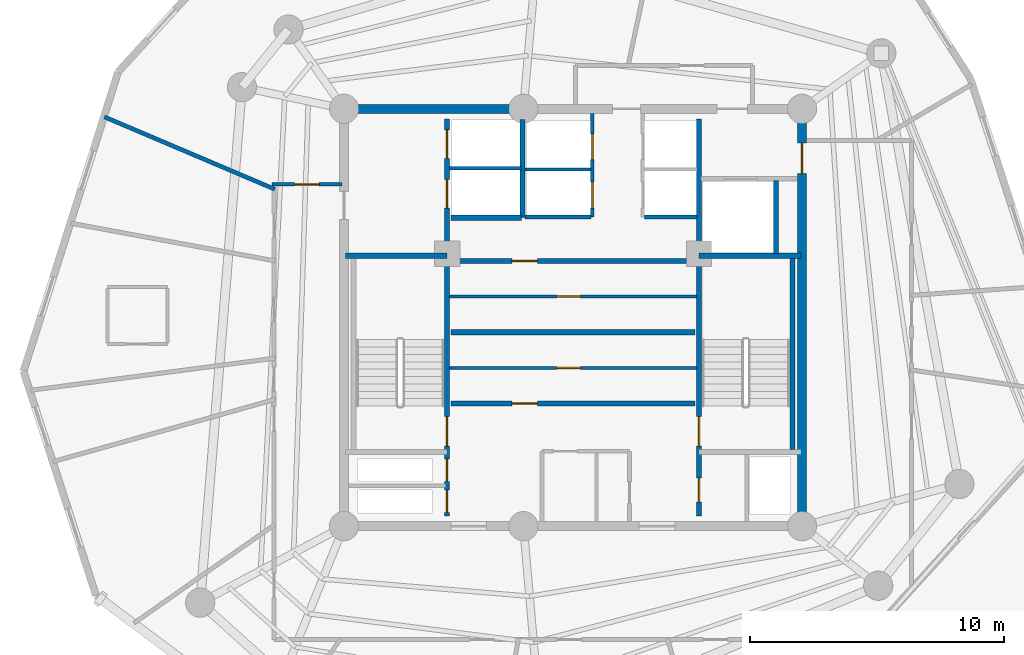
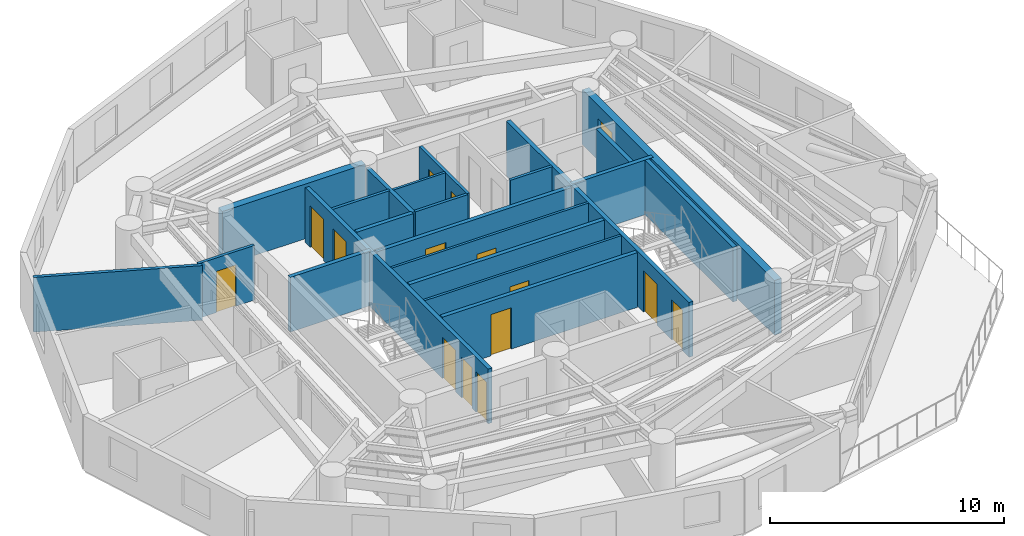
# One storey, part 4 of 9: 22 walls, 15 doors, 15 openings.
"""IFC4 building model written with IfcOpenShell, lengths in metres."""

from ifc_helpers import new_model, si_unit, direction, frame, frame_2d, origin, origin_with_axes, place, context, subcontext, project, spatial, rectangle, extrude, source, transform, mapped, material, layer, layer_set, type_object, element, fill, save


model = new_model("IFC4")

# Units and contexts
model_context = context("Model", 3, precision=1e-05, world=origin(), true_north=direction((0.0, 1.0)))
body_context = subcontext(model_context, "Body", "Model", "MODEL_VIEW")
ifc_project = project(units=[si_unit("LENGTHUNIT", "METRE"), si_unit("AREAUNIT", "SQUARE_METRE"), si_unit("VOLUMEUNIT", "CUBIC_METRE"), si_unit("PLANEANGLEUNIT", "RADIAN"), si_unit("MASSUNIT", "GRAM", prefix="KILO")], contexts=[model_context])

# Site, building, storey
site_placement = place(None, origin())
site = spatial("IfcSite", under=ifc_project, at=site_placement, CompositionType="ELEMENT")
building_placement = place(site_placement, origin())
building = spatial("IfcBuilding", under=site, at=building_placement, Name="Karkom Vertical University and Central Library", CompositionType="ELEMENT")
storey_placement = place(building_placement, frame((0.0, 0.0, 232.14990234375)))
storey = spatial("IfcBuildingStorey", under=building, at=storey_placement, Name="L68", CompositionType="ELEMENT", Elevation=232.14990234375)

# Wall
ifc_material_1 = material(Name="Insulated metal-stud drywall 160mm", Category="gypsum")
ifc_layer_1 = layer(ifc_material_1, 0.159912109375)
ifc_layer_set_1 = layer_set([ifc_layer_1], Name="Insulated metal-stud drywall 160mm")
wall_type_1 = type_object("IfcWallType", Name="INT-WL-COR-160", PredefinedType="PARTITIONING", material=ifc_layer_set_1)
wall_1_placement = place(storey_placement, frame((16.777587890625, 31.541015625, 0.0), z_axis=(0.0, 0.0, 1.0), x_axis=(-0.920503444572, 0.390734447588, 0.0)))
element("IfcWall", 1, at=wall_1_placement, inside=storey, type_object=wall_type_1, Name="Level 68 Interior Partition Wall L68-PW-012", PredefinedType="PARTITIONING", context=body_context, shape_type="SweptSolid", body=[
    extrude(rectangle(XDim=7.26806640625, YDim=0.159912109375, at=frame_2d((3.634033203125, 0.0))), origin(), (0.0, 0.0, 1.0), 2.85009765625),
])

# Wall, opening, door
ifc_material_2 = material(Name="Moisture-resistant drywall 120mm", Category="gypsum")
ifc_layer_2 = layer(ifc_material_2, 0.1201171875)
ifc_layer_set_2 = layer_set([ifc_layer_2], Name="Moisture-resistant drywall 120mm")
wall_type_2 = type_object("IfcWallType", Name="INT-WL-INT-120F", PredefinedType="PARTITIONING", material=ifc_layer_set_2)
wall_2_placement = place(storey_placement, frame((23.652099609375, 24.52001953125, 0.0), z_axis=(0.0, 0.0, 1.0), x_axis=(1.0, 0.0, 0.0)))
wall_2 = element("IfcWall", 2, at=wall_2_placement, inside=storey, type_object=wall_type_2, Name="Level 68 Interior Partition Wall L68-CW-B1-K3H", PredefinedType="PARTITIONING", context=body_context, shape_type="SweptSolid", body=[
    extrude(rectangle(XDim=9.697509765625, YDim=0.1201171875, at=frame_2d((4.8486328125, 0.0))), origin(), (0.0, 0.0, 1.0), 2.85009765625),
])
opening_1_placement = place(wall_2_placement, frame((4.199951171875, 0.0, 0.0)))
opening_1 = element("IfcOpeningElement", 3, at=opening_1_placement, cuts=wall_2, Name="Opening D-WC1", PredefinedType="OPENING", context=body_context, shape_type="SweptSolid", body=[
    extrude(rectangle(XDim=0.93994140625, YDim=2.10009765625, at=frame_2d((0.469970703125, 1.050048828125))), frame((0.0, 0.070068359375, 0.0), z_axis=(0.0, -1.0, 0.0), x_axis=(1.0, 0.0, 0.0)), (0.0, 0.0, 1.0), 0.14013671875),
])
ifc_material_3 = material(Name="Fire-rated laminate moisture-resistant door", Category="wood")
door_type_1 = type_object("IfcDoorType", Name="INT-DR-WC1", OperationType="NOTDEFINED", PredefinedType="DOOR", material=ifc_material_3)
shared_shape_1 = source(origin_with_axes(), body_context, "Body", "SweptSolid", [
    extrude(rectangle(XDim=0.93994140625, YDim=2.10009765625, at=frame_2d((0.469970703125, 1.050048828125))), frame((0.0, 0.02490234375, 0.0), z_axis=(0.0, -1.0, 0.0), x_axis=(1.0, 0.0, 0.0)), (0.0, 0.0, 1.0), 0.050048828125),
])
door_1_placement = place(opening_1_placement, origin())
door_1 = element("IfcDoor", 4, at=door_1_placement, inside=storey, type_object=door_type_1, Name="Level 68 B1 Core WC Strip Door", OperationType="SINGLE_SWING_RIGHT", OverallHeight=2.10009765625, OverallWidth=0.93994140625, PredefinedType="DOOR", context=body_context, shape_type="MappedRepresentation", body=[
    mapped(shared_shape_1, transform((0.0, 0.0, 0.0), scale=1.0)),
])
fill(opening_1, door_1)

wall_3_placement = place(storey_placement, frame((23.652099609375, 27.320068359375, 0.0), z_axis=(0.0, 0.0, 1.0), x_axis=(1.0, 0.0, 0.0)))
wall_3 = element("IfcWall", 5, at=wall_3_placement, inside=storey, type_object=wall_type_2, Name="Level 68 Interior Partition Wall L68-CW-B2-K3H", PredefinedType="PARTITIONING", context=body_context, shape_type="SweptSolid", body=[
    extrude(rectangle(XDim=9.697509765625, YDim=0.1201171875, at=frame_2d((4.8486328125, 0.0))), origin(), (0.0, 0.0, 1.0), 2.85009765625),
])
opening_2_placement = place(wall_3_placement, frame((4.199951171875, 0.0, 0.0)))
opening_2 = element("IfcOpeningElement", 6, at=opening_2_placement, cuts=wall_3, Name="Opening D-WC1", PredefinedType="OPENING", context=body_context, shape_type="SweptSolid", body=[
    extrude(rectangle(XDim=0.93994140625, YDim=2.10009765625, at=frame_2d((0.469970703125, 1.050048828125))), frame((0.0, 0.070068359375, 0.0), z_axis=(0.0, -1.0, 0.0), x_axis=(1.0, 0.0, 0.0)), (0.0, 0.0, 1.0), 0.14013671875),
])
door_2_placement = place(opening_2_placement, origin())
door_2 = element("IfcDoor", 7, at=door_2_placement, inside=storey, type_object=door_type_1, Name="Level 68 B2 Core WC Strip Door", OperationType="SINGLE_SWING_RIGHT", OverallHeight=2.10009765625, OverallWidth=0.93994140625, PredefinedType="DOOR", context=body_context, shape_type="MappedRepresentation", body=[
    mapped(shared_shape_1, transform((0.0, 0.0, 0.0), scale=1.0)),
])
fill(opening_2, door_2)

# Wall
ifc_layer_3 = layer(ifc_material_2, 0.1201171875)
ifc_layer_set_3 = layer_set([ifc_layer_3], Name="Moisture-resistant drywall 120mm")
wall_type_3 = type_object("IfcWallType", Name="INT-WL-INT-120H", PredefinedType="PARTITIONING", material=ifc_layer_set_3)
wall_4_placement = place(storey_placement, frame((26.6201171875, 32.320068359375, 0.0), z_axis=(0.0, 0.0, 1.0), x_axis=(1.0, 0.0, 0.0)))
element("IfcWall", 8, at=wall_4_placement, inside=storey, type_object=wall_type_3, Name="Level 68 Interior Partition Wall L68-CW-PH-MW", PredefinedType="PARTITIONING", context=body_context, shape_type="SweptSolid", body=[
    extrude(rectangle(XDim=2.579833984375, YDim=0.1201171875, at=frame_2d((1.2900390625, 0.0))), origin(), (0.0, 0.0, 1.0), 2.85009765625),
])

# Wall, opening, door
ifc_material_4 = material(Name="Metal-stud gypsum partition 140mm", Category="gypsum")
ifc_layer_4 = layer(ifc_material_4, 0.139892578125)
ifc_layer_set_4 = layer_set([ifc_layer_4], Name="Metal-stud gypsum partition 140mm")
wall_type_4 = type_object("IfcWallType", Name="INT-WL-SUB-140", PredefinedType="PARTITIONING", material=ifc_layer_set_4)
wall_5_placement = place(storey_placement, frame((19.419921875, 31.72998046875, 0.0), z_axis=(0.0, 0.0, 1.0), x_axis=(-1.0, 0.0, 0.0)))
wall_5 = element("IfcWall", 9, at=wall_5_placement, inside=storey, type_object=wall_type_4, Name="Level 68 Interior Partition Wall L68-CWALL-420", PredefinedType="PARTITIONING", context=body_context, shape_type="SweptSolid", body=[
    extrude(rectangle(XDim=2.75, YDim=0.139892578125, at=frame_2d((1.375, 0.0))), origin(), (0.0, 0.0, 1.0), 2.85009765625),
])
opening_3_placement = place(wall_5_placement, frame((0.89990234375, 0.0, 0.0)))
opening_3 = element("IfcOpeningElement", 10, at=opening_3_placement, cuts=wall_5, Name="Opening FD-RM2", PredefinedType="OPENING", context=body_context, shape_type="SweptSolid", body=[
    extrude(rectangle(XDim=0.9599609375, YDim=2.14990234375, at=frame_2d((0.47998046875, 1.074951171875))), frame((0.0, 0.080078125, 0.0), z_axis=(0.0, -1.0, 0.0), x_axis=(1.0, 0.0, 0.0)), (0.0, 0.0, 1.0), 0.159912109375),
])
ifc_material_5 = material(Name="Fire-rated oak veneer door", Category="wood")
door_type_2 = type_object("IfcDoorType", Name="INT-DR-FRM2", OperationType="NOTDEFINED", PredefinedType="DOOR", material=ifc_material_5)
shared_shape_2 = source(origin_with_axes(), body_context, "Body", "SweptSolid", [
    extrude(rectangle(XDim=0.9599609375, YDim=2.14990234375, at=frame_2d((0.47998046875, 1.074951171875))), frame((0.0, 0.02490234375, 0.0), z_axis=(0.0, -1.0, 0.0), x_axis=(1.0, 0.0, 0.0)), (0.0, 0.0, 1.0), 0.050048828125),
])
door_3_placement = place(opening_3_placement, origin())
door_3 = element("IfcDoor", 11, at=door_3_placement, inside=storey, type_object=door_type_2, Name="Level 68 Room Entry Door 420", OperationType="SINGLE_SWING_LEFT", OverallHeight=2.14990234375, OverallWidth=0.9599609375, PredefinedType="DOOR", context=body_context, shape_type="MappedRepresentation", body=[
    mapped(shared_shape_2, transform((0.0, 0.0, 0.0), scale=1.0)),
])
fill(opening_3, door_3)

# Wall, openings, doors
ifc_layer_5 = layer(ifc_material_4, 0.139892578125)
ifc_layer_set_5 = layer_set([ifc_layer_5], Name="Metal-stud gypsum partition 140mm")
wall_type_5 = type_object("IfcWallType", Name="INT-WL-SUB-140H", PredefinedType="PARTITIONING", material=ifc_layer_set_5)
wall_6_placement = place(storey_placement, frame((29.260009765625, 30.449951171875, 0.0), z_axis=(0.0, 0.0, 1.0), x_axis=(0.0, 1.0, 0.0)))
wall_6 = element("IfcWall", 12, at=wall_6_placement, inside=storey, type_object=wall_type_5, Name="Level 68 Interior Partition Wall L68-CW-PH-W", PredefinedType="PARTITIONING", context=body_context, shape_type="SweptSolid", body=[
    extrude(rectangle(XDim=4.068115234375, YDim=0.139892578125, at=frame_2d((2.0341796875, 0.0))), origin(), (0.0, 0.0, 1.0), 2.85009765625),
])
opening_4_placement = place(wall_6_placement, frame((0.35009765625, 0.0, 0.0)))
opening_4 = element("IfcOpeningElement", 13, at=opening_4_placement, cuts=wall_6, Name="Opening LD-PH", PredefinedType="OPENING", context=body_context, shape_type="SweptSolid", body=[
    extrude(rectangle(XDim=1.02001953125, YDim=2.14990234375, at=frame_2d((0.510009765625, 1.074951171875))), frame((0.0, 0.080078125, 0.0), z_axis=(0.0, -1.0, 0.0), x_axis=(1.0, 0.0, 0.0)), (0.0, 0.0, 1.0), 0.159912109375),
])
opening_5_placement = place(wall_6_placement, frame((2.25, 0.0, 0.0)))
opening_5 = element("IfcOpeningElement", 14, at=opening_5_placement, cuts=wall_6, Name="Opening LD-PH", PredefinedType="OPENING", context=body_context, shape_type="SweptSolid", body=[
    extrude(rectangle(XDim=1.02001953125, YDim=2.14990234375, at=frame_2d((0.510009765625, 1.074951171875))), frame((0.0, 0.080078125, 0.0), z_axis=(0.0, -1.0, 0.0), x_axis=(1.0, 0.0, 0.0)), (0.0, 0.0, 1.0), 0.159912109375),
])
ifc_material_6 = material(Name="Brushed stainless-steel landing door", Category="steel")
door_type_3 = type_object("IfcDoorType", Name="INT-DR-LD-PH", OperationType="SLIDING_TO_LEFT", PredefinedType="DOOR", material=ifc_material_6)
shared_shape_3 = source(origin_with_axes(), body_context, "Body", "SweptSolid", [
    extrude(rectangle(XDim=1.02001953125, YDim=2.14990234375, at=frame_2d((0.510009765625, 1.074951171875))), frame((0.0, 0.02490234375, 0.0), z_axis=(0.0, -1.0, 0.0), x_axis=(1.0, 0.0, 0.0)), (0.0, 0.0, 1.0), 0.050048828125),
])
door_4_placement = place(opening_4_placement, origin())
door_4 = element("IfcDoor", 15, at=door_4_placement, inside=storey, type_object=door_type_3, Name="Level 68 Lift PH-1 Landing Door", OperationType="SLIDING_TO_LEFT", OverallHeight=2.14990234375, OverallWidth=1.02001953125, PredefinedType="DOOR", context=body_context, shape_type="MappedRepresentation", body=[
    mapped(shared_shape_3, transform((0.0, 0.0, 0.0), scale=1.0)),
])
fill(opening_4, door_4)
door_5_placement = place(opening_5_placement, origin())
door_5 = element("IfcDoor", 16, at=door_5_placement, inside=storey, type_object=door_type_3, Name="Level 68 Lift PH-2 Landing Door", OperationType="SLIDING_TO_LEFT", OverallHeight=2.14990234375, OverallWidth=1.02001953125, PredefinedType="DOOR", context=body_context, shape_type="MappedRepresentation", body=[
    mapped(shared_shape_3, transform((0.0, 0.0, 0.0), scale=1.0)),
])
fill(opening_5, door_5)

# Walls
wall_7_placement = place(storey_placement, frame((26.6201171875, 30.449951171875, 0.0), z_axis=(0.0, 0.0, 1.0), x_axis=(1.0, 0.0, 0.0)))
element("IfcWall", 17, at=wall_7_placement, inside=storey, type_object=wall_type_5, Name="Level 68 Interior Partition Wall L68-CW-PH-S1", PredefinedType="PARTITIONING", context=body_context, shape_type="SweptSolid", body=[
    extrude(rectangle(XDim=2.579833984375, YDim=0.139892578125, at=frame_2d((1.2900390625, 0.0))), origin(), (0.0, 0.0, 1.0), 2.85009765625),
])
wall_8_placement = place(storey_placement, frame((31.300048828125, 30.449951171875, 0.0), z_axis=(0.0, 0.0, 1.0), x_axis=(1.0, 0.0, 0.0)))
element("IfcWall", 18, at=wall_8_placement, inside=storey, type_object=wall_type_5, Name="Level 68 Interior Partition Wall L68-CW-PH-S2", PredefinedType="PARTITIONING", context=body_context, shape_type="SweptSolid", body=[
    extrude(rectangle(XDim=2.074951171875, YDim=0.139892578125, at=frame_2d((1.03759765625, 0.0))), origin(), (0.0, 0.0, 1.0), 2.85009765625),
])
ifc_layer_6 = layer(ifc_material_4, 0.139892578125)
ifc_layer_set_6 = layer_set([ifc_layer_6], Name="Metal-stud gypsum partition 140mm")
wall_type_6 = type_object("IfcWallType", Name="INT-WL-SUB-140X", PredefinedType="PARTITIONING", material=ifc_layer_set_6)
wall_9_placement = place(storey_placement, frame((23.652099609375, 32.3701171875, 0.0), z_axis=(0.0, 0.0, 1.0), x_axis=(1.0, 0.0, 0.0)))
element("IfcWall", 19, at=wall_9_placement, inside=storey, type_object=wall_type_6, Name="Level 68 Interior Partition Wall L68-CW-FFL-M", PredefinedType="PARTITIONING", context=body_context, shape_type="SweptSolid", body=[
    extrude(rectangle(XDim=2.827880859375, YDim=0.139892578125, at=frame_2d((1.4140625, 0.0))), origin(), (0.0, 0.0, 1.0), 2.85009765625),
])

# Wall, opening, door
ifc_material_7 = material(Name="Concrete C45/55", Category="concrete")
ifc_layer_7 = layer(ifc_material_7, 0.35009765625)
ifc_layer_set_7 = layer_set([ifc_layer_7], Name="Concrete C45/55")
wall_type_7 = type_object("IfcWallType", Name="STR-WL-CW-350", PredefinedType="SHEAR", material=ifc_layer_set_7)
wall_10_placement = place(storey_placement, frame((37.5, 18.300048828125, 0.0), z_axis=(0.0, 0.0, 1.0), x_axis=(0.0, 1.0, 0.0)))
wall_10 = element("IfcWall", 20, at=wall_10_placement, inside=storey, type_object=wall_type_7, Name="Level 68 Central Core Shear Wall EW", PredefinedType="SHEAR", context=body_context, shape_type="SweptSolid", body=[
    extrude(rectangle(XDim=16.39990234375, YDim=0.35009765625, at=frame_2d((8.199951171875, 0.0))), origin(), (0.0, 0.0, 1.0), 2.85009765625),
])
opening_6_placement = place(wall_10_placement, frame((13.85009765625, 0.0, 0.0)))
opening_6 = element("IfcOpeningElement", 21, at=opening_6_placement, cuts=wall_10, Name="Opening FD-SUB1", PredefinedType="OPENING", context=body_context, shape_type="SweptSolid", body=[
    extrude(rectangle(XDim=1.199951171875, YDim=2.14990234375, at=frame_2d((0.60009765625, 1.074951171875))), frame((0.0, 0.18505859375, 0.0), z_axis=(0.0, -1.0, 0.0), x_axis=(1.0, 0.0, 0.0)), (0.0, 0.0, 1.0), 0.3701171875),
])
ifc_material_8 = material(Name="Painted steel fire door", Category="steel")
door_type_4 = type_object("IfcDoorType", Name="INT-DR-SUB1", OperationType="NOTDEFINED", PredefinedType="DOOR", material=ifc_material_8)
shared_shape_4 = source(origin_with_axes(), body_context, "Body", "SweptSolid", [
    extrude(rectangle(XDim=1.199951171875, YDim=2.14990234375, at=frame_2d((0.60009765625, 1.074951171875))), frame((0.0, 0.02490234375, 0.0), z_axis=(0.0, -1.0, 0.0), x_axis=(1.0, 0.0, 0.0)), (0.0, 0.0, 1.0), 0.050048828125),
])
door_6_placement = place(opening_6_placement, origin())
door_6 = element("IfcDoor", 22, at=door_6_placement, inside=storey, type_object=door_type_4, Name="Level 68 East Corridor Service Lobby Door", OperationType="SINGLE_SWING_RIGHT", OverallHeight=2.14990234375, OverallWidth=1.199951171875, PredefinedType="DOOR", context=body_context, shape_type="MappedRepresentation", body=[
    mapped(shared_shape_4, transform((0.0, 0.0, 0.0), scale=1.0)),
])
fill(opening_6, door_6)

# Wall
wall_11_placement = place(storey_placement, frame((26.550048828125, 34.699951171875, 0.0), z_axis=(0.0, 0.0, 1.0), x_axis=(-1.0, 0.0, 0.0)))
element("IfcWall", 23, at=wall_11_placement, inside=storey, type_object=wall_type_7, Name="Level 68 Central Core Shear Wall NW2", PredefinedType="SHEAR", context=body_context, shape_type="SweptSolid", body=[
    extrude(rectangle(XDim=7.050048828125, YDim=0.35009765625, at=frame_2d((3.52490234375, 0.0))), origin(), (0.0, 0.0, 1.0), 2.85009765625),
])

# Wall, openings, doors
ifc_layer_8 = layer(ifc_material_7, 0.199951171875)
ifc_layer_set_8 = layer_set([ifc_layer_8], Name="Concrete C45/55")
wall_type_8 = type_object("IfcWallType", Name="STR-WL-ST-200", PredefinedType="SHEAR", material=ifc_layer_set_8)
wall_12_placement = place(storey_placement, frame((23.544921875, 18.699951171875, 0.0), z_axis=(0.0, 0.0, 1.0), x_axis=(0.0, 1.0, 0.0)))
wall_12 = element("IfcWall", 24, at=wall_12_placement, inside=storey, type_object=wall_type_8, Name="Level 68 Core Shaft Wall L68-CW-ST1-E", PredefinedType="SHEAR", context=body_context, shape_type="SweptSolid", body=[
    extrude(rectangle(XDim=15.60009765625, YDim=0.199951171875, at=frame_2d((7.800048828125, 0.0))), origin(), (0.0, 0.0, 1.0), 2.85009765625),
])
opening_7_placement = place(wall_12_placement, frame((2.75, 0.0, 0.0)))
opening_7 = element("IfcOpeningElement", 25, at=opening_7_placement, cuts=wall_12, Name="Opening FD-ST1", PredefinedType="OPENING", context=body_context, shape_type="SweptSolid", body=[
    extrude(rectangle(XDim=1.14990234375, YDim=2.14990234375, at=frame_2d((0.574951171875, 1.074951171875))), frame((0.0, 0.10986328125, 0.0), z_axis=(0.0, -1.0, 0.0), x_axis=(1.0, 0.0, 0.0)), (0.0, 0.0, 1.0), 0.219970703125),
])
opening_8_placement = place(wall_12_placement, frame((0.139892578125, 0.0, 0.0)))
opening_8 = element("IfcOpeningElement", 26, at=opening_8_placement, cuts=wall_12, Name="Opening FD-RIS", PredefinedType="OPENING", context=body_context, shape_type="SweptSolid", body=[
    extrude(rectangle(XDim=0.8798828125, YDim=2.10009765625, at=frame_2d((0.43994140625, 1.050048828125))), frame((0.0, 0.10986328125, 0.0), z_axis=(0.0, -1.0, 0.0), x_axis=(1.0, 0.0, 0.0)), (0.0, 0.0, 1.0), 0.219970703125),
])
opening_9_placement = place(wall_12_placement, frame((1.360107421875, 0.0, 0.0)))
opening_9 = element("IfcOpeningElement", 27, at=opening_9_placement, cuts=wall_12, Name="Opening FD-RIS", PredefinedType="OPENING", context=body_context, shape_type="SweptSolid", body=[
    extrude(rectangle(XDim=0.8798828125, YDim=2.10009765625, at=frame_2d((0.43994140625, 1.050048828125))), frame((0.0, 0.10986328125, 0.0), z_axis=(0.0, -1.0, 0.0), x_axis=(1.0, 0.0, 0.0)), (0.0, 0.0, 1.0), 0.219970703125),
])
opening_10_placement = place(wall_12_placement, frame((12.10009765625, 0.0, 0.0)))
opening_10 = element("IfcOpeningElement", 28, at=opening_10_placement, cuts=wall_12, Name="Opening LD-FFL", PredefinedType="OPENING", context=body_context, shape_type="SweptSolid", body=[
    extrude(rectangle(XDim=1.1201171875, YDim=2.14990234375, at=frame_2d((0.56005859375, 1.074951171875))), frame((0.0, 0.10986328125, 0.0), z_axis=(0.0, -1.0, 0.0), x_axis=(1.0, 0.0, 0.0)), (0.0, 0.0, 1.0), 0.219970703125),
])
opening_11_placement = place(wall_12_placement, frame((14.050048828125, 0.0, 0.0)))
opening_11 = element("IfcOpeningElement", 29, at=opening_11_placement, cuts=wall_12, Name="Opening LD-FFL", PredefinedType="OPENING", context=body_context, shape_type="SweptSolid", body=[
    extrude(rectangle(XDim=1.1201171875, YDim=2.14990234375, at=frame_2d((0.56005859375, 1.074951171875))), frame((0.0, 0.10986328125, 0.0), z_axis=(0.0, -1.0, 0.0), x_axis=(1.0, 0.0, 0.0)), (0.0, 0.0, 1.0), 0.219970703125),
])
ifc_material_9 = material(Name="Painted steel acoustic fire door", Category="steel")
door_type_5 = type_object("IfcDoorType", Name="INT-DR-ST1", OperationType="NOTDEFINED", PredefinedType="DOOR", material=ifc_material_9)
shared_shape_5 = source(origin_with_axes(), body_context, "Body", "SweptSolid", [
    extrude(rectangle(XDim=1.14990234375, YDim=2.14990234375, at=frame_2d((0.574951171875, 1.074951171875))), frame((0.0, 0.02490234375, 0.0), z_axis=(0.0, -1.0, 0.0), x_axis=(1.0, 0.0, 0.0)), (0.0, 0.0, 1.0), 0.050048828125),
])
door_7_placement = place(opening_7_placement, origin())
door_7 = element("IfcDoor", 30, at=door_7_placement, inside=storey, type_object=door_type_5, Name="Level 68 Stair ST-1 Fire Door", OperationType="SINGLE_SWING_LEFT", OverallHeight=2.14990234375, OverallWidth=1.14990234375, PredefinedType="DOOR", context=body_context, shape_type="MappedRepresentation", body=[
    mapped(shared_shape_5, transform((0.0, 0.0, 0.0), scale=1.0)),
])
fill(opening_7, door_7)
ifc_material_10 = material(Name="Painted steel riser access door", Category="steel")
door_type_6 = type_object("IfcDoorType", Name="INT-DR-RIS", OperationType="NOTDEFINED", PredefinedType="DOOR", material=ifc_material_10)
shared_shape_6 = source(origin_with_axes(), body_context, "Body", "SweptSolid", [
    extrude(rectangle(XDim=0.8798828125, YDim=2.10009765625, at=frame_2d((0.43994140625, 1.050048828125))), frame((0.0, 0.02490234375, 0.0), z_axis=(0.0, -1.0, 0.0), x_axis=(1.0, 0.0, 0.0)), (0.0, 0.0, 1.0), 0.050048828125),
])
door_8_placement = place(opening_8_placement, origin())
door_8 = element("IfcDoor", 31, at=door_8_placement, inside=storey, type_object=door_type_6, Name="Level 68 Electrical Riser Access Door", OperationType="SINGLE_SWING_RIGHT", OverallHeight=2.10009765625, OverallWidth=0.8798828125, PredefinedType="DOOR", context=body_context, shape_type="MappedRepresentation", body=[
    mapped(shared_shape_6, transform((0.0, 0.0, 0.0), scale=1.0)),
])
fill(opening_8, door_8)
door_9_placement = place(opening_9_placement, origin())
door_9 = element("IfcDoor", 32, at=door_9_placement, inside=storey, type_object=door_type_6, Name="Level 68 Telecom Riser Access Door", OperationType="SINGLE_SWING_LEFT", OverallHeight=2.10009765625, OverallWidth=0.8798828125, PredefinedType="DOOR", context=body_context, shape_type="MappedRepresentation", body=[
    mapped(shared_shape_6, transform((0.0, 0.0, 0.0), scale=1.0)),
])
fill(opening_9, door_9)
ifc_material_11 = material(Name="Fire-rated stainless-steel landing door", Category="steel")
door_type_7 = type_object("IfcDoorType", Name="INT-DR-LD-FFL", OperationType="SLIDING_TO_LEFT", PredefinedType="DOOR", material=ifc_material_11)
shared_shape_7 = source(origin_with_axes(), body_context, "Body", "SweptSolid", [
    extrude(rectangle(XDim=1.1201171875, YDim=2.14990234375, at=frame_2d((0.56005859375, 1.074951171875))), frame((0.0, 0.02490234375, 0.0), z_axis=(0.0, -1.0, 0.0), x_axis=(1.0, 0.0, 0.0)), (0.0, 0.0, 1.0), 0.050048828125),
])
door_10_placement = place(opening_10_placement, origin())
door_10 = element("IfcDoor", 33, at=door_10_placement, inside=storey, type_object=door_type_7, Name="Level 68 Firefighting Lift FFL-1 Landing Door", OperationType="SLIDING_TO_LEFT", OverallHeight=2.14990234375, OverallWidth=1.1201171875, PredefinedType="DOOR", context=body_context, shape_type="MappedRepresentation", body=[
    mapped(shared_shape_7, transform((0.0, 0.0, 0.0), scale=1.0)),
])
fill(opening_10, door_10)
door_11_placement = place(opening_11_placement, origin())
door_11 = element("IfcDoor", 34, at=door_11_placement, inside=storey, type_object=door_type_7, Name="Level 68 Firefighting Lift FFL-2 Landing Door", OperationType="SLIDING_TO_RIGHT", OverallHeight=2.14990234375, OverallWidth=1.1201171875, PredefinedType="DOOR", context=body_context, shape_type="MappedRepresentation", body=[
    mapped(shared_shape_7, transform((0.0, 0.0, 0.0), scale=1.0)),
])
fill(opening_11, door_11)

wall_13_placement = place(storey_placement, frame((33.455078125, 18.699951171875, 0.0), z_axis=(0.0, 0.0, 1.0), x_axis=(0.0, 1.0, 0.0)))
wall_13 = element("IfcWall", 35, at=wall_13_placement, inside=storey, type_object=wall_type_8, Name="Level 68 Core Shaft Wall L68-CW-ST2-W", PredefinedType="SHEAR", context=body_context, shape_type="SweptSolid", body=[
    extrude(rectangle(XDim=15.60009765625, YDim=0.199951171875, at=frame_2d((7.800048828125, 0.0))), origin(), (0.0, 0.0, 1.0), 2.85009765625),
])
opening_12_placement = place(wall_13_placement, frame((2.75, 0.0, 0.0)))
opening_12 = element("IfcOpeningElement", 36, at=opening_12_placement, cuts=wall_13, Name="Opening FD-ST1", PredefinedType="OPENING", context=body_context, shape_type="SweptSolid", body=[
    extrude(rectangle(XDim=1.14990234375, YDim=2.14990234375, at=frame_2d((0.574951171875, 1.074951171875))), frame((0.0, 0.10986328125, 0.0), z_axis=(0.0, -1.0, 0.0), x_axis=(1.0, 0.0, 0.0)), (0.0, 0.0, 1.0), 0.219970703125),
])
opening_13_placement = place(wall_13_placement, frame((0.550048828125, 0.0, 0.0)))
opening_13 = element("IfcOpeningElement", 37, at=opening_13_placement, cuts=wall_13, Name="Opening D-WC1", PredefinedType="OPENING", context=body_context, shape_type="SweptSolid", body=[
    extrude(rectangle(XDim=0.93994140625, YDim=2.10009765625, at=frame_2d((0.469970703125, 1.050048828125))), frame((0.0, 0.10986328125, 0.0), z_axis=(0.0, -1.0, 0.0), x_axis=(1.0, 0.0, 0.0)), (0.0, 0.0, 1.0), 0.219970703125),
])
door_12_placement = place(opening_12_placement, origin())
door_12 = element("IfcDoor", 38, at=door_12_placement, inside=storey, type_object=door_type_5, Name="Level 68 Stair ST-2 Fire Door", OperationType="SINGLE_SWING_RIGHT", OverallHeight=2.14990234375, OverallWidth=1.14990234375, PredefinedType="DOOR", context=body_context, shape_type="MappedRepresentation", body=[
    mapped(shared_shape_5, transform((0.0, 0.0, 0.0), scale=1.0)),
])
fill(opening_12, door_12)
door_13_placement = place(opening_13_placement, origin())
door_13 = element("IfcDoor", 39, at=door_13_placement, inside=storey, type_object=door_type_1, Name="Level 68 Accessible WC Door", OperationType="SINGLE_SWING_RIGHT", OverallHeight=2.10009765625, OverallWidth=0.93994140625, PredefinedType="DOOR", context=body_context, shape_type="MappedRepresentation", body=[
    mapped(shared_shape_1, transform((0.0, 0.0, 0.0), scale=1.0)),
])
fill(opening_13, door_13)

# Wall, opening, door
wall_14_placement = place(storey_placement, frame((23.699951171875, 23.1201171875, 0.0), z_axis=(0.0, 0.0, 1.0), x_axis=(1.0, 0.0, 0.0)))
wall_14 = element("IfcWall", 40, at=wall_14_placement, inside=storey, type_object=wall_type_8, Name="Level 68 Core Shaft Wall L68-CW-B1-S", PredefinedType="SHEAR", context=body_context, shape_type="SweptSolid", body=[
    extrude(rectangle(XDim=9.60009765625, YDim=0.199951171875, at=frame_2d((4.800048828125, 0.0))), origin(), (0.0, 0.0, 1.0), 2.85009765625),
])
opening_14_placement = place(wall_14_placement, frame((2.39990234375, 0.0, 0.0)))
opening_14 = element("IfcOpeningElement", 41, at=opening_14_placement, cuts=wall_14, Name="Opening D-STR1", PredefinedType="OPENING", context=body_context, shape_type="SweptSolid", body=[
    extrude(rectangle(XDim=1.0, YDim=2.14990234375, at=frame_2d((0.5, 1.074951171875))), frame((0.0, 0.10986328125, 0.0), z_axis=(0.0, -1.0, 0.0), x_axis=(1.0, 0.0, 0.0)), (0.0, 0.0, 1.0), 0.219970703125),
])
ifc_material_12 = material(Name="Solid-core hardwood fire door", Category="wood")
door_type_8 = type_object("IfcDoorType", Name="INT-DR-STR1", OperationType="NOTDEFINED", PredefinedType="DOOR", material=ifc_material_12)
shared_shape_8 = source(origin_with_axes(), body_context, "Body", "SweptSolid", [
    extrude(rectangle(XDim=1.0, YDim=2.14990234375, at=frame_2d((0.5, 1.074951171875))), frame((0.0, 0.02490234375, 0.0), z_axis=(0.0, -1.0, 0.0), x_axis=(1.0, 0.0, 0.0)), (0.0, 0.0, 1.0), 0.050048828125),
])
door_14_placement = place(opening_14_placement, origin())
door_14 = element("IfcDoor", 42, at=door_14_placement, inside=storey, type_object=door_type_8, Name="Level 68 B1 Archive Strip Door", OperationType="SINGLE_SWING_LEFT", OverallHeight=2.14990234375, OverallWidth=1.0, PredefinedType="DOOR", context=body_context, shape_type="MappedRepresentation", body=[
    mapped(shared_shape_8, transform((0.0, 0.0, 0.0), scale=1.0)),
])
fill(opening_14, door_14)

# Wall
wall_15_placement = place(storey_placement, frame((23.699951171875, 25.919921875, 0.0), z_axis=(0.0, 0.0, 1.0), x_axis=(1.0, 0.0, 0.0)))
element("IfcWall", 43, at=wall_15_placement, inside=storey, type_object=wall_type_8, Name="Level 68 Core Shaft Wall L68-CW-B1-N", PredefinedType="SHEAR", context=body_context, shape_type="SweptSolid", body=[
    extrude(rectangle(XDim=9.60009765625, YDim=0.199951171875, at=frame_2d((4.800048828125, 0.0))), origin(), (0.0, 0.0, 1.0), 2.85009765625),
])

# Wall, opening, door
wall_16_placement = place(storey_placement, frame((23.699951171875, 28.719970703125, 0.0), z_axis=(0.0, 0.0, 1.0), x_axis=(1.0, 0.0, 0.0)))
wall_16 = element("IfcWall", 44, at=wall_16_placement, inside=storey, type_object=wall_type_8, Name="Level 68 Core Shaft Wall L68-CW-B2-N", PredefinedType="SHEAR", context=body_context, shape_type="SweptSolid", body=[
    extrude(rectangle(XDim=9.60009765625, YDim=0.199951171875, at=frame_2d((4.800048828125, 0.0))), origin(), (0.0, 0.0, 1.0), 2.85009765625),
])
opening_15_placement = place(wall_16_placement, frame((2.39990234375, 0.0, 0.0)))
opening_15 = element("IfcOpeningElement", 45, at=opening_15_placement, cuts=wall_16, Name="Opening D-STR1", PredefinedType="OPENING", context=body_context, shape_type="SweptSolid", body=[
    extrude(rectangle(XDim=1.0, YDim=2.14990234375, at=frame_2d((0.5, 1.074951171875))), frame((0.0, 0.10986328125, 0.0), z_axis=(0.0, -1.0, 0.0), x_axis=(1.0, 0.0, 0.0)), (0.0, 0.0, 1.0), 0.219970703125),
])
door_15_placement = place(opening_15_placement, origin())
door_15 = element("IfcDoor", 46, at=door_15_placement, inside=storey, type_object=door_type_8, Name="Level 68 B2 Archive Strip Door", OperationType="SINGLE_SWING_LEFT", OverallHeight=2.14990234375, OverallWidth=1.0, PredefinedType="DOOR", context=body_context, shape_type="MappedRepresentation", body=[
    mapped(shared_shape_8, transform((0.0, 0.0, 0.0), scale=1.0)),
])
fill(opening_15, door_15)

# Walls
wall_17_placement = place(storey_placement, frame((37.125, 21.320068359375, 0.0), z_axis=(0.0, 0.0, 1.0), x_axis=(0.0, 1.0, 0.0)))
element("IfcWall", 47, at=wall_17_placement, inside=storey, type_object=wall_type_8, Name="Level 68 Core Shaft Wall L68-CW-ST2-E", PredefinedType="SHEAR", context=body_context, shape_type="SweptSolid", body=[
    extrude(rectangle(XDim=7.5, YDim=0.199951171875, at=frame_2d((3.75, 0.0))), origin(), (0.0, 0.0, 1.0), 2.85009765625),
])
for number, where, z_axis, x_axis, name in (
    (48, (33.455078125, 28.925048828125, 0.0), (0.0, 0.0, 1.0), (1.0, 0.0, 0.0), "Level 68 Core Shaft Wall L68-CW-ST2-N"),
    (49, (19.550048828125, 28.925048828125, 0.0), (0.0, 0.0, 1.0), (1.0, 0.0, 0.0), "Level 68 Core Shaft Wall L68-CW-ST1-N"),
):
    element("IfcWall", number, at=place(storey_placement, frame(where, z_axis=z_axis, x_axis=x_axis)), inside=storey, type_object=wall_type_8, Name=name, PredefinedType="SHEAR", context=body_context, shape_type="SweptSolid", body=[
        extrude(rectangle(XDim=3.994873046875, YDim=0.199951171875, at=frame_2d((1.99755859375, 0.0))), origin(), (0.0, 0.0, 1.0), 2.85009765625),
    ])
wall_18_placement = place(storey_placement, frame((26.52001953125, 30.419921875, 0.0), z_axis=(0.0, 0.0, 1.0), x_axis=(0.0, 1.0, 0.0)))
element("IfcWall", 50, at=wall_18_placement, inside=storey, type_object=wall_type_8, Name="Level 68 Core Shaft Wall L68-CW-FFL-E", PredefinedType="SHEAR", context=body_context, shape_type="SweptSolid", body=[
    extrude(rectangle(XDim=3.860107421875, YDim=0.199951171875, at=frame_2d((1.93017578125, 0.0))), origin(), (0.0, 0.0, 1.0), 2.85009765625),
])
wall_19_placement = place(storey_placement, frame((36.47998046875, 29.02001953125, 0.0), z_axis=(0.0, 0.0, 1.0), x_axis=(0.0, 1.0, 0.0)))
element("IfcWall", 51, at=wall_19_placement, inside=storey, type_object=wall_type_8, Name="Level 68 Core Shaft Wall L68-CW-SVL-E", PredefinedType="SHEAR", context=body_context, shape_type="SweptSolid", body=[
    extrude(rectangle(XDim=2.85986328125, YDim=0.199951171875, at=frame_2d((1.429931640625, 0.0))), origin(), (0.0, 0.0, 1.0), 2.85009765625),
])
wall_20_placement = place(storey_placement, frame((23.699951171875, 30.419921875, 0.0), z_axis=(0.0, 0.0, 1.0), x_axis=(1.0, 0.0, 0.0)))
element("IfcWall", 52, at=wall_20_placement, inside=storey, type_object=wall_type_8, Name="Level 68 Core Shaft Wall L68-CW-FFL-S", PredefinedType="SHEAR", context=body_context, shape_type="SweptSolid", body=[
    extrude(rectangle(XDim=2.780029296875, YDim=0.199951171875, at=frame_2d((1.39013671875, 0.0))), origin(), (0.0, 0.0, 1.0), 2.85009765625),
])

save(model, "model.ifc")
